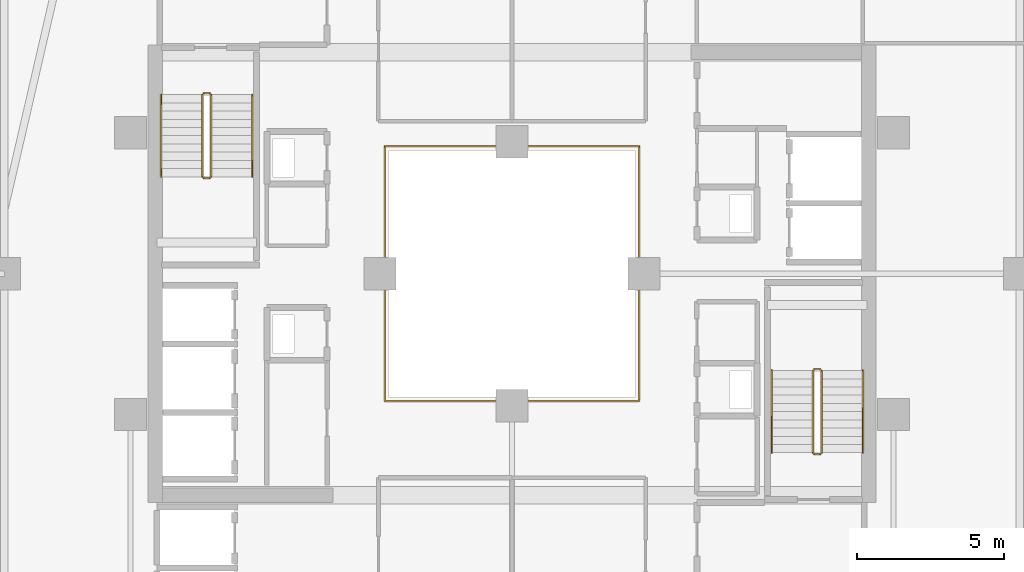
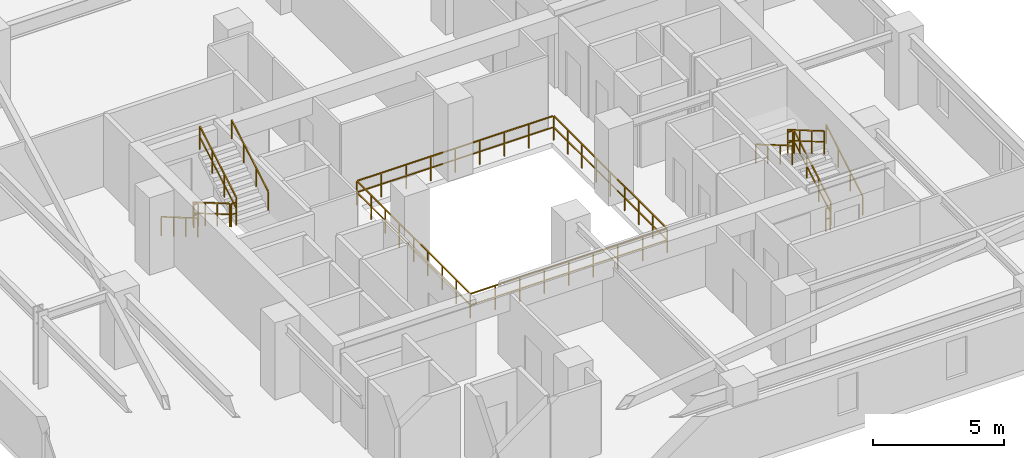
# One storey, part 31 of 32: 13 railings.
"""IFC4 building model written with IfcOpenShell, lengths in metres."""

from ifc_helpers import new_model, si_unit, direction, frame, origin, origin_2d, place, context, subcontext, project, spatial, rectangle, extrude, material, type_object, element, save


model = new_model("IFC4")

# Units and contexts
model_context = context("Model", 3, precision=1e-05, world=origin(), true_north=direction((0.0, 1.0)))
body_context = subcontext(model_context, "Body", "Model", "MODEL_VIEW")
ifc_project = project(units=[si_unit("LENGTHUNIT", "METRE"), si_unit("AREAUNIT", "SQUARE_METRE"), si_unit("VOLUMEUNIT", "CUBIC_METRE"), si_unit("PLANEANGLEUNIT", "RADIAN"), si_unit("MASSUNIT", "GRAM", prefix="KILO")], contexts=[model_context])

# Site, building, storey
site_placement = place(None, origin())
site = spatial("IfcSite", under=ifc_project, at=site_placement, CompositionType="ELEMENT")
building_placement = place(site_placement, origin())
building = spatial("IfcBuilding", under=site, at=building_placement, Name="Thornwick Lancets Civic Towers", CompositionType="ELEMENT")
storey_placement = place(building_placement, frame((0.0, 0.0, 178.5)))
storey = spatial("IfcBuildingStorey", under=building, at=storey_placement, Name="L47", CompositionType="ELEMENT", Elevation=178.5)

# Railings
ifc_material_1 = material(Name="Laminated glass and bronze steel S355", Category="steel")
railing_type_1 = type_object("IfcRailingType", Name="RAIL_ATRIUM_GUARD", PredefinedType="BALUSTRADE", material=ifc_material_1)
railing_1_placement = place(storey_placement, frame((84.159912109375, 22.659912109375, 0.0)))
element("IfcRailing", 1, at=railing_1_placement, inside=storey, type_object=railing_type_1, Name="L47 Tower B Central Atrium Guard Balustrade", PredefinedType="BALUSTRADE", context=body_context, shape_type="SweptSolid", body=[
    extrude(rectangle(XDim=0.048095703125, YDim=0.048095703125, at=origin_2d()), frame((0.0, 0.0, 1.1259765625), z_axis=(1.0, 0.0, 0.0), x_axis=(0.0, 1.0, 0.0)), (0.0, 0.0, 1.0), 8.64892578125),
    extrude(rectangle(XDim=0.0419921875, YDim=0.0419921875, at=origin_2d()), frame((0.03759765625, 0.0, 0.597900390625), z_axis=(1.0, 0.0, 0.0), x_axis=(0.0, 1.0, 0.0)), (0.0, 0.0, 1.0), 1.010009765625),
    extrude(rectangle(XDim=0.0419921875, YDim=0.0419921875, at=origin_2d()), frame((1.12255859375, 0.0, 0.597900390625), z_axis=(1.0, 0.0, 0.0), x_axis=(0.0, 1.0, 0.0)), (0.0, 0.0, 1.0), 1.010009765625),
    extrude(rectangle(XDim=0.0419921875, YDim=0.0419921875, at=origin_2d()), frame((2.20751953125, 0.0, 0.597900390625), z_axis=(1.0, 0.0, 0.0), x_axis=(0.0, 1.0, 0.0)), (0.0, 0.0, 1.0), 1.010009765625),
    extrude(rectangle(XDim=0.0419921875, YDim=0.0419921875, at=origin_2d()), frame((3.29248046875, 0.0, 0.597900390625), z_axis=(1.0, 0.0, 0.0), x_axis=(0.0, 1.0, 0.0)), (0.0, 0.0, 1.0), 1.010009765625),
    extrude(rectangle(XDim=0.0419921875, YDim=0.0419921875, at=origin_2d()), frame((4.377685546875, 0.0, 0.597900390625), z_axis=(1.0, 0.0, 0.0), x_axis=(0.0, 1.0, 0.0)), (0.0, 0.0, 1.0), 1.010009765625),
    extrude(rectangle(XDim=0.0419921875, YDim=0.0419921875, at=origin_2d()), frame((5.462646484375, 0.0, 0.597900390625), z_axis=(1.0, 0.0, 0.0), x_axis=(0.0, 1.0, 0.0)), (0.0, 0.0, 1.0), 1.010009765625),
    extrude(rectangle(XDim=0.0419921875, YDim=0.0419921875, at=origin_2d()), frame((6.547607421875, 0.0, 0.597900390625), z_axis=(1.0, 0.0, 0.0), x_axis=(0.0, 1.0, 0.0)), (0.0, 0.0, 1.0), 1.010009765625),
    extrude(rectangle(XDim=0.0419921875, YDim=0.0419921875, at=origin_2d()), frame((7.632568359375, 0.0, 0.597900390625), z_axis=(1.0, 0.0, 0.0), x_axis=(0.0, 1.0, 0.0)), (0.0, 0.0, 1.0), 1.010009765625),
    extrude(rectangle(XDim=0.048095703125, YDim=0.048095703125, at=origin_2d()), frame((8.68017578125, 0.03125, 1.1259765625), z_axis=(0.0, 1.0, 0.0), x_axis=(-1.0, 0.0, 0.0)), (0.0, 0.0, 1.0), 8.61767578125),
    extrude(rectangle(XDim=0.0419921875, YDim=0.0419921875, at=origin_2d()), frame((8.68017578125, 0.03759765625, 0.597900390625), z_axis=(0.0, 1.0, 0.0), x_axis=(-1.0, 0.0, 0.0)), (0.0, 0.0, 1.0), 1.010009765625),
    extrude(rectangle(XDim=0.0419921875, YDim=0.0419921875, at=origin_2d()), frame((8.68017578125, 1.12255859375, 0.597900390625), z_axis=(0.0, 1.0, 0.0), x_axis=(-1.0, 0.0, 0.0)), (0.0, 0.0, 1.0), 1.010009765625),
    extrude(rectangle(XDim=0.0419921875, YDim=0.0419921875, at=origin_2d()), frame((8.68017578125, 2.20751953125, 0.597900390625), z_axis=(0.0, 1.0, 0.0), x_axis=(-1.0, 0.0, 0.0)), (0.0, 0.0, 1.0), 1.010009765625),
    extrude(rectangle(XDim=0.0419921875, YDim=0.0419921875, at=origin_2d()), frame((8.68017578125, 3.29248046875, 0.597900390625), z_axis=(0.0, 1.0, 0.0), x_axis=(-1.0, 0.0, 0.0)), (0.0, 0.0, 1.0), 1.010009765625),
    extrude(rectangle(XDim=0.0419921875, YDim=0.0419921875, at=origin_2d()), frame((8.68017578125, 4.377685546875, 0.597900390625), z_axis=(0.0, 1.0, 0.0), x_axis=(-1.0, 0.0, 0.0)), (0.0, 0.0, 1.0), 1.010009765625),
    extrude(rectangle(XDim=0.0419921875, YDim=0.0419921875, at=origin_2d()), frame((8.68017578125, 5.462646484375, 0.597900390625), z_axis=(0.0, 1.0, 0.0), x_axis=(-1.0, 0.0, 0.0)), (0.0, 0.0, 1.0), 1.010009765625),
    extrude(rectangle(XDim=0.0419921875, YDim=0.0419921875, at=origin_2d()), frame((8.68017578125, 6.547607421875, 0.597900390625), z_axis=(0.0, 1.0, 0.0), x_axis=(-1.0, 0.0, 0.0)), (0.0, 0.0, 1.0), 1.010009765625),
    extrude(rectangle(XDim=0.0419921875, YDim=0.0419921875, at=origin_2d()), frame((8.68017578125, 7.632568359375, 0.597900390625), z_axis=(0.0, 1.0, 0.0), x_axis=(-1.0, 0.0, 0.0)), (0.0, 0.0, 1.0), 1.010009765625),
    extrude(rectangle(XDim=0.048095703125, YDim=0.048095703125, at=origin_2d()), frame((8.64892578125, 8.68017578125, 1.1259765625), z_axis=(-1.0, 0.0, 0.0), x_axis=(0.0, -1.0, 0.0)), (0.0, 0.0, 1.0), 8.61767578125),
    extrude(rectangle(XDim=0.0419921875, YDim=0.0419921875, at=origin_2d()), frame((8.642578125, 8.68017578125, 0.597900390625), z_axis=(-1.0, 0.0, 0.0), x_axis=(0.0, -1.0, 0.0)), (0.0, 0.0, 1.0), 1.010009765625),
    extrude(rectangle(XDim=0.0419921875, YDim=0.0419921875, at=origin_2d()), frame((7.5576171875, 8.68017578125, 0.597900390625), z_axis=(-1.0, 0.0, 0.0), x_axis=(0.0, -1.0, 0.0)), (0.0, 0.0, 1.0), 1.010009765625),
    extrude(rectangle(XDim=0.0419921875, YDim=0.0419921875, at=origin_2d()), frame((6.47265625, 8.68017578125, 0.597900390625), z_axis=(-1.0, 0.0, 0.0), x_axis=(0.0, -1.0, 0.0)), (0.0, 0.0, 1.0), 1.010009765625),
    extrude(rectangle(XDim=0.0419921875, YDim=0.0419921875, at=origin_2d()), frame((5.3876953125, 8.68017578125, 0.597900390625), z_axis=(-1.0, 0.0, 0.0), x_axis=(0.0, -1.0, 0.0)), (0.0, 0.0, 1.0), 1.010009765625),
    extrude(rectangle(XDim=0.0419921875, YDim=0.0419921875, at=origin_2d()), frame((4.302490234375, 8.68017578125, 0.597900390625), z_axis=(-1.0, 0.0, 0.0), x_axis=(0.0, -1.0, 0.0)), (0.0, 0.0, 1.0), 1.010009765625),
    extrude(rectangle(XDim=0.0419921875, YDim=0.0419921875, at=origin_2d()), frame((3.217529296875, 8.68017578125, 0.597900390625), z_axis=(-1.0, 0.0, 0.0), x_axis=(0.0, -1.0, 0.0)), (0.0, 0.0, 1.0), 1.010009765625),
    extrude(rectangle(XDim=0.0419921875, YDim=0.0419921875, at=origin_2d()), frame((2.132568359375, 8.68017578125, 0.597900390625), z_axis=(-1.0, 0.0, 0.0), x_axis=(0.0, -1.0, 0.0)), (0.0, 0.0, 1.0), 1.010009765625),
    extrude(rectangle(XDim=0.0419921875, YDim=0.0419921875, at=origin_2d()), frame((1.047607421875, 8.68017578125, 0.597900390625), z_axis=(-1.0, 0.0, 0.0), x_axis=(0.0, -1.0, 0.0)), (0.0, 0.0, 1.0), 1.010009765625),
    extrude(rectangle(XDim=0.048095703125, YDim=0.048095703125, at=origin_2d()), frame((0.0, 8.64892578125, 1.1259765625), z_axis=(0.0, -1.0, 0.0), x_axis=(1.0, 0.0, 0.0)), (0.0, 0.0, 1.0), 8.64892578125),
    extrude(rectangle(XDim=0.0419921875, YDim=0.0419921875, at=origin_2d()), frame((0.0, 8.642578125, 0.597900390625), z_axis=(0.0, -1.0, 0.0), x_axis=(1.0, 0.0, 0.0)), (0.0, 0.0, 1.0), 1.010009765625),
    extrude(rectangle(XDim=0.0419921875, YDim=0.0419921875, at=origin_2d()), frame((0.0, 7.5576171875, 0.597900390625), z_axis=(0.0, -1.0, 0.0), x_axis=(1.0, 0.0, 0.0)), (0.0, 0.0, 1.0), 1.010009765625),
    extrude(rectangle(XDim=0.0419921875, YDim=0.0419921875, at=origin_2d()), frame((0.0, 6.47265625, 0.597900390625), z_axis=(0.0, -1.0, 0.0), x_axis=(1.0, 0.0, 0.0)), (0.0, 0.0, 1.0), 1.010009765625),
    extrude(rectangle(XDim=0.0419921875, YDim=0.0419921875, at=origin_2d()), frame((0.0, 5.3876953125, 0.597900390625), z_axis=(0.0, -1.0, 0.0), x_axis=(1.0, 0.0, 0.0)), (0.0, 0.0, 1.0), 1.010009765625),
    extrude(rectangle(XDim=0.0419921875, YDim=0.0419921875, at=origin_2d()), frame((0.0, 4.302490234375, 0.597900390625), z_axis=(0.0, -1.0, 0.0), x_axis=(1.0, 0.0, 0.0)), (0.0, 0.0, 1.0), 1.010009765625),
    extrude(rectangle(XDim=0.0419921875, YDim=0.0419921875, at=origin_2d()), frame((0.0, 3.217529296875, 0.597900390625), z_axis=(0.0, -1.0, 0.0), x_axis=(1.0, 0.0, 0.0)), (0.0, 0.0, 1.0), 1.010009765625),
    extrude(rectangle(XDim=0.0419921875, YDim=0.0419921875, at=origin_2d()), frame((0.0, 2.132568359375, 0.597900390625), z_axis=(0.0, -1.0, 0.0), x_axis=(1.0, 0.0, 0.0)), (0.0, 0.0, 1.0), 1.010009765625),
    extrude(rectangle(XDim=0.0419921875, YDim=0.0419921875, at=origin_2d()), frame((0.0, 1.047607421875, 0.597900390625), z_axis=(0.0, -1.0, 0.0), x_axis=(1.0, 0.0, 0.0)), (0.0, 0.0, 1.0), 1.010009765625),
    extrude(rectangle(XDim=0.0419921875, YDim=0.0419921875, at=origin_2d()), origin(), (0.0, 0.0, 1.0), 1.095703125),
    extrude(rectangle(XDim=0.0419921875, YDim=0.0419921875, at=origin_2d()), frame((1.0849609375, 0.0, 0.0)), (0.0, 0.0, 1.0), 1.095703125),
    extrude(rectangle(XDim=0.0419921875, YDim=0.0419921875, at=origin_2d()), frame((2.169921875, 0.0, 0.0)), (0.0, 0.0, 1.0), 1.095703125),
    extrude(rectangle(XDim=0.0419921875, YDim=0.0419921875, at=origin_2d()), frame((3.255126953125, 0.0, 0.0)), (0.0, 0.0, 1.0), 1.095703125),
    extrude(rectangle(XDim=0.0419921875, YDim=0.0419921875, at=origin_2d()), frame((4.340087890625, 0.0, 0.0)), (0.0, 0.0, 1.0), 1.095703125),
    extrude(rectangle(XDim=0.0419921875, YDim=0.0419921875, at=origin_2d()), frame((5.425048828125, 0.0, 0.0)), (0.0, 0.0, 1.0), 1.095703125),
    extrude(rectangle(XDim=0.0419921875, YDim=0.0419921875, at=origin_2d()), frame((6.51025390625, 0.0, 0.0)), (0.0, 0.0, 1.0), 1.095703125),
    extrude(rectangle(XDim=0.0419921875, YDim=0.0419921875, at=origin_2d()), frame((7.59521484375, 0.0, 0.0)), (0.0, 0.0, 1.0), 1.095703125),
    extrude(rectangle(XDim=0.0419921875, YDim=0.0419921875, at=origin_2d()), frame((8.68017578125, 0.0, 0.0)), (0.0, 0.0, 1.0), 1.095703125),
    extrude(rectangle(XDim=0.0419921875, YDim=0.0419921875, at=origin_2d()), frame((8.68017578125, 1.0849609375, 0.0)), (0.0, 0.0, 1.0), 1.095703125),
    extrude(rectangle(XDim=0.0419921875, YDim=0.0419921875, at=origin_2d()), frame((8.68017578125, 2.169921875, 0.0)), (0.0, 0.0, 1.0), 1.095703125),
    extrude(rectangle(XDim=0.0419921875, YDim=0.0419921875, at=origin_2d()), frame((8.68017578125, 3.255126953125, 0.0)), (0.0, 0.0, 1.0), 1.095703125),
    extrude(rectangle(XDim=0.0419921875, YDim=0.0419921875, at=origin_2d()), frame((8.68017578125, 4.340087890625, 0.0)), (0.0, 0.0, 1.0), 1.095703125),
    extrude(rectangle(XDim=0.0419921875, YDim=0.0419921875, at=origin_2d()), frame((8.68017578125, 5.425048828125, 0.0)), (0.0, 0.0, 1.0), 1.095703125),
    extrude(rectangle(XDim=0.0419921875, YDim=0.0419921875, at=origin_2d()), frame((8.68017578125, 6.51025390625, 0.0)), (0.0, 0.0, 1.0), 1.095703125),
    extrude(rectangle(XDim=0.0419921875, YDim=0.0419921875, at=origin_2d()), frame((8.68017578125, 7.59521484375, 0.0)), (0.0, 0.0, 1.0), 1.095703125),
    extrude(rectangle(XDim=0.0419921875, YDim=0.0419921875, at=origin_2d()), frame((8.68017578125, 8.68017578125, 0.0)), (0.0, 0.0, 1.0), 1.095703125),
    extrude(rectangle(XDim=0.0419921875, YDim=0.0419921875, at=origin_2d()), frame((7.59521484375, 8.68017578125, 0.0)), (0.0, 0.0, 1.0), 1.095703125),
    extrude(rectangle(XDim=0.0419921875, YDim=0.0419921875, at=origin_2d()), frame((6.51025390625, 8.68017578125, 0.0)), (0.0, 0.0, 1.0), 1.095703125),
    extrude(rectangle(XDim=0.0419921875, YDim=0.0419921875, at=origin_2d()), frame((5.425048828125, 8.68017578125, 0.0)), (0.0, 0.0, 1.0), 1.095703125),
    extrude(rectangle(XDim=0.0419921875, YDim=0.0419921875, at=origin_2d()), frame((4.340087890625, 8.68017578125, 0.0)), (0.0, 0.0, 1.0), 1.095703125),
    extrude(rectangle(XDim=0.0419921875, YDim=0.0419921875, at=origin_2d()), frame((3.255126953125, 8.68017578125, 0.0)), (0.0, 0.0, 1.0), 1.095703125),
    extrude(rectangle(XDim=0.0419921875, YDim=0.0419921875, at=origin_2d()), frame((2.169921875, 8.68017578125, 0.0)), (0.0, 0.0, 1.0), 1.095703125),
    extrude(rectangle(XDim=0.0419921875, YDim=0.0419921875, at=origin_2d()), frame((1.0849609375, 8.68017578125, 0.0)), (0.0, 0.0, 1.0), 1.095703125),
    extrude(rectangle(XDim=0.0419921875, YDim=0.0419921875, at=origin_2d()), frame((0.0, 8.68017578125, 0.0)), (0.0, 0.0, 1.0), 1.095703125),
    extrude(rectangle(XDim=0.0419921875, YDim=0.0419921875, at=origin_2d()), frame((0.0, 7.59521484375, 0.0)), (0.0, 0.0, 1.0), 1.095703125),
    extrude(rectangle(XDim=0.0419921875, YDim=0.0419921875, at=origin_2d()), frame((0.0, 6.51025390625, 0.0)), (0.0, 0.0, 1.0), 1.095703125),
    extrude(rectangle(XDim=0.0419921875, YDim=0.0419921875, at=origin_2d()), frame((0.0, 5.425048828125, 0.0)), (0.0, 0.0, 1.0), 1.095703125),
    extrude(rectangle(XDim=0.0419921875, YDim=0.0419921875, at=origin_2d()), frame((0.0, 4.340087890625, 0.0)), (0.0, 0.0, 1.0), 1.095703125),
    extrude(rectangle(XDim=0.0419921875, YDim=0.0419921875, at=origin_2d()), frame((0.0, 3.255126953125, 0.0)), (0.0, 0.0, 1.0), 1.095703125),
    extrude(rectangle(XDim=0.0419921875, YDim=0.0419921875, at=origin_2d()), frame((0.0, 2.169921875, 0.0)), (0.0, 0.0, 1.0), 1.095703125),
    extrude(rectangle(XDim=0.0419921875, YDim=0.0419921875, at=origin_2d()), frame((0.0, 1.0849609375, 0.0)), (0.0, 0.0, 1.0), 1.095703125),
])
ifc_material_2 = material(Name="Brushed stainless steel S355", Category="steel")
railing_type_2 = type_object("IfcRailingType", Name="RAIL_HANDRAIL", PredefinedType="HANDRAIL", material=ifc_material_2)
railing_2_placement = place(storey_placement, frame((100.449951171875, 20.89990234375, 0.16357421875)))
element("IfcRailing", 2, at=railing_2_placement, inside=storey, type_object=railing_type_2, Name="L47 ST-B1 stair handrail 1", PredefinedType="HANDRAIL", context=body_context, shape_type="SweptSolid", body=[
    extrude(rectangle(XDim=0.048095703125, YDim=0.048095703125, at=origin_2d()), frame((0.0, 0.0, 0.8857421875), z_axis=(0.0, 0.863360870873, 0.504586966384), x_axis=(-1.0, 0.0, 0.0)), (0.0, 0.0, 1.0), 3.2431640625),
    extrude(rectangle(XDim=0.0419921875, YDim=0.0419921875, at=origin_2d()), origin(), (0.0, 0.0, 1.0), 0.855712890625),
    extrude(rectangle(XDim=0.0419921875, YDim=0.0419921875, at=origin_2d()), frame((0.0, 0.933349609375, 0.54541015625)), (0.0, 0.0, 1.0), 0.855712890625),
    extrude(rectangle(XDim=0.0419921875, YDim=0.0419921875, at=origin_2d()), frame((0.0, 1.86669921875, 1.091064453125)), (0.0, 0.0, 1.0), 0.855712890625),
    extrude(rectangle(XDim=0.0419921875, YDim=0.0419921875, at=origin_2d()), frame((0.0, 2.800048828125, 1.636474609375)), (0.0, 0.0, 1.0), 0.855712890625),
])
for number, where, name in (
    (3, (97.35009765625, 23.699951171875, 1.963623046875), "L47 ST-B1 stair handrail 2"),
    (4, (76.550048828125, 33.10009765625, 0.16357421875), "L47 ST-B2 stair handrail 1"),
):
    element("IfcRailing", number, at=place(storey_placement, frame(where)), inside=storey, type_object=railing_type_2, Name=name, PredefinedType="HANDRAIL", context=body_context, shape_type="SweptSolid", body=[
        extrude(rectangle(XDim=0.048095703125, YDim=0.048095703125, at=origin_2d()), frame((0.0, 0.0, 0.8857421875), z_axis=(0.0, -0.863360870873, 0.504586966384), x_axis=(1.0, 0.0, 0.0)), (0.0, 0.0, 1.0), 3.2431640625),
        extrude(rectangle(XDim=0.0419921875, YDim=0.0419921875, at=origin_2d()), origin(), (0.0, 0.0, 1.0), 0.855712890625),
        extrude(rectangle(XDim=0.0419921875, YDim=0.0419921875, at=origin_2d()), frame((0.0, -0.933349609375, 0.54541015625)), (0.0, 0.0, 1.0), 0.855712890625),
        extrude(rectangle(XDim=0.0419921875, YDim=0.0419921875, at=origin_2d()), frame((0.0, -1.86669921875, 1.091064453125)), (0.0, 0.0, 1.0), 0.855712890625),
        extrude(rectangle(XDim=0.0419921875, YDim=0.0419921875, at=origin_2d()), frame((0.0, -2.800048828125, 1.636474609375)), (0.0, 0.0, 1.0), 0.855712890625),
    ])
railing_3_placement = place(storey_placement, frame((79.64990234375, 30.300048828125, 1.963623046875)))
element("IfcRailing", 5, at=railing_3_placement, inside=storey, type_object=railing_type_2, Name="L47 ST-B2 stair handrail 2", PredefinedType="HANDRAIL", context=body_context, shape_type="SweptSolid", body=[
    extrude(rectangle(XDim=0.048095703125, YDim=0.048095703125, at=origin_2d()), frame((0.0, 0.0, 0.8857421875), z_axis=(0.0, 0.863360870873, 0.504586966384), x_axis=(-1.0, 0.0, 0.0)), (0.0, 0.0, 1.0), 3.2431640625),
    extrude(rectangle(XDim=0.0419921875, YDim=0.0419921875, at=origin_2d()), origin(), (0.0, 0.0, 1.0), 0.855712890625),
    extrude(rectangle(XDim=0.0419921875, YDim=0.0419921875, at=origin_2d()), frame((0.0, 0.933349609375, 0.54541015625)), (0.0, 0.0, 1.0), 0.855712890625),
    extrude(rectangle(XDim=0.0419921875, YDim=0.0419921875, at=origin_2d()), frame((0.0, 1.86669921875, 1.091064453125)), (0.0, 0.0, 1.0), 0.855712890625),
    extrude(rectangle(XDim=0.0419921875, YDim=0.0419921875, at=origin_2d()), frame((0.0, 2.800048828125, 1.636474609375)), (0.0, 0.0, 1.0), 0.855712890625),
])
ifc_material_3 = material(Name="Steel S355JR", Category="steel")
railing_type_3 = type_object("IfcRailingType", Name="RAIL_STAIR_GUARD", PredefinedType="GUARDRAIL", material=ifc_material_3)
railing_4_placement = place(storey_placement, frame((99.050048828125, 20.89990234375, 0.16357421875)))
element("IfcRailing", 6, at=railing_4_placement, inside=storey, type_object=railing_type_3, Name="L47 ST-B1 stair guard 1", PredefinedType="GUARDRAIL", context=body_context, shape_type="SweptSolid", body=[
    extrude(rectangle(XDim=0.048095703125, YDim=0.048095703125, at=origin_2d()), frame((0.0, 0.0, 1.076171875), z_axis=(0.0, 0.863360870873, 0.504586966384), x_axis=(-1.0, 0.0, 0.0)), (0.0, 0.0, 1.0), 3.2431640625),
    extrude(rectangle(XDim=0.0419921875, YDim=0.0419921875, at=origin_2d()), frame((0.0, 0.032470703125, 0.591064453125), z_axis=(0.0, 0.863360870873, 0.504586966384), x_axis=(-1.0, 0.0, 0.0)), (0.0, 0.0, 1.0), 1.006103515625),
    extrude(rectangle(XDim=0.0419921875, YDim=0.0419921875, at=origin_2d()), frame((0.0, 0.9658203125, 1.136474609375), z_axis=(0.0, 0.863360870873, 0.504586966384), x_axis=(-1.0, 0.0, 0.0)), (0.0, 0.0, 1.0), 1.006103515625),
    extrude(rectangle(XDim=0.0419921875, YDim=0.0419921875, at=origin_2d()), frame((0.0, 1.899169921875, 1.681884765625), z_axis=(0.0, 0.863360870873, 0.504586966384), x_axis=(-1.0, 0.0, 0.0)), (0.0, 0.0, 1.0), 1.006103515625),
    extrude(rectangle(XDim=0.0419921875, YDim=0.0419921875, at=origin_2d()), origin(), (0.0, 0.0, 1.0), 1.0458984375),
    extrude(rectangle(XDim=0.0419921875, YDim=0.0419921875, at=origin_2d()), frame((0.0, 0.933349609375, 0.54541015625)), (0.0, 0.0, 1.0), 1.0458984375),
    extrude(rectangle(XDim=0.0419921875, YDim=0.0419921875, at=origin_2d()), frame((0.0, 1.86669921875, 1.091064453125)), (0.0, 0.0, 1.0), 1.0458984375),
    extrude(rectangle(XDim=0.0419921875, YDim=0.0419921875, at=origin_2d()), frame((0.0, 2.800048828125, 1.636474609375)), (0.0, 0.0, 1.0), 1.0458984375),
])
railing_5_placement = place(storey_placement, frame((99.0, 23.75, 1.800048828125)))
element("IfcRailing", 7, at=railing_5_placement, inside=storey, type_object=railing_type_3, Name="L47 ST-B1 stair guard 2", PredefinedType="GUARDRAIL", context=body_context, shape_type="SweptSolid", body=[
    extrude(rectangle(XDim=0.048095703125, YDim=0.048095703125, at=origin_2d()), frame((0.0, 0.0, 1.076171875), z_axis=(-1.0, 0.0, 0.0), x_axis=(0.0, -1.0, 0.0)), (0.0, 0.0, 1.0), 0.199951171875),
    extrude(rectangle(XDim=0.0419921875, YDim=0.0419921875, at=origin_2d()), frame((-0.03759765625, 0.0, 0.572021484375), z_axis=(-1.0, 0.0, 0.0), x_axis=(0.0, -1.0, 0.0)), (0.0, 0.0, 1.0), 0.125),
    extrude(rectangle(XDim=0.0419921875, YDim=0.0419921875, at=origin_2d()), origin(), (0.0, 0.0, 1.0), 1.0458984375),
    extrude(rectangle(XDim=0.0419921875, YDim=0.0419921875, at=origin_2d()), frame((-0.199951171875, 0.0, 0.0)), (0.0, 0.0, 1.0), 1.0458984375),
])
railing_6_placement = place(storey_placement, frame((98.75, 23.699951171875, 1.963623046875)))
element("IfcRailing", 8, at=railing_6_placement, inside=storey, type_object=railing_type_3, Name="L47 ST-B1 stair guard 3", PredefinedType="GUARDRAIL", context=body_context, shape_type="SweptSolid", body=[
    extrude(rectangle(XDim=0.048095703125, YDim=0.048095703125, at=origin_2d()), frame((0.0, 0.0, 1.076171875), z_axis=(0.0, -0.863360870873, 0.504586966384), x_axis=(1.0, 0.0, 0.0)), (0.0, 0.0, 1.0), 3.2431640625),
    extrude(rectangle(XDim=0.0419921875, YDim=0.0419921875, at=origin_2d()), frame((0.0, -0.032470703125, 0.591064453125), z_axis=(0.0, -0.863360870873, 0.504586966384), x_axis=(1.0, 0.0, 0.0)), (0.0, 0.0, 1.0), 1.006103515625),
    extrude(rectangle(XDim=0.0419921875, YDim=0.0419921875, at=origin_2d()), frame((0.0, -0.9658203125, 1.136474609375), z_axis=(0.0, -0.863360870873, 0.504586966384), x_axis=(1.0, 0.0, 0.0)), (0.0, 0.0, 1.0), 1.006103515625),
    extrude(rectangle(XDim=0.0419921875, YDim=0.0419921875, at=origin_2d()), frame((0.0, -1.899169921875, 1.681884765625), z_axis=(0.0, -0.863360870873, 0.504586966384), x_axis=(1.0, 0.0, 0.0)), (0.0, 0.0, 1.0), 1.006103515625),
    extrude(rectangle(XDim=0.0419921875, YDim=0.0419921875, at=origin_2d()), origin(), (0.0, 0.0, 1.0), 1.0458984375),
    extrude(rectangle(XDim=0.0419921875, YDim=0.0419921875, at=origin_2d()), frame((0.0, -0.933349609375, 0.54541015625)), (0.0, 0.0, 1.0), 1.0458984375),
    extrude(rectangle(XDim=0.0419921875, YDim=0.0419921875, at=origin_2d()), frame((0.0, -1.86669921875, 1.091064453125)), (0.0, 0.0, 1.0), 1.0458984375),
    extrude(rectangle(XDim=0.0419921875, YDim=0.0419921875, at=origin_2d()), frame((0.0, -2.800048828125, 1.636474609375)), (0.0, 0.0, 1.0), 1.0458984375),
])
railing_7_placement = place(storey_placement, frame((99.0, 20.85009765625, 0.0)))
element("IfcRailing", 9, at=railing_7_placement, inside=storey, type_object=railing_type_3, Name="L47 ST-B1 stair guard 4", PredefinedType="GUARDRAIL", context=body_context, shape_type="SweptSolid", body=[
    extrude(rectangle(XDim=0.048095703125, YDim=0.048095703125, at=origin_2d()), frame((0.0, 0.0, 1.076171875), z_axis=(-1.0, 0.0, 0.0), x_axis=(0.0, -1.0, 0.0)), (0.0, 0.0, 1.0), 0.199951171875),
    extrude(rectangle(XDim=0.0419921875, YDim=0.0419921875, at=origin_2d()), frame((-0.03759765625, 0.0, 0.572021484375), z_axis=(-1.0, 0.0, 0.0), x_axis=(0.0, -1.0, 0.0)), (0.0, 0.0, 1.0), 0.125),
    extrude(rectangle(XDim=0.0419921875, YDim=0.0419921875, at=origin_2d()), origin(), (0.0, 0.0, 1.0), 1.0458984375),
    extrude(rectangle(XDim=0.0419921875, YDim=0.0419921875, at=origin_2d()), frame((-0.199951171875, 0.0, 0.0)), (0.0, 0.0, 1.0), 1.0458984375),
])
railing_8_placement = place(storey_placement, frame((77.949951171875, 33.10009765625, 0.16357421875)))
element("IfcRailing", 10, at=railing_8_placement, inside=storey, type_object=railing_type_3, Name="L47 ST-B2 stair guard 1", PredefinedType="GUARDRAIL", context=body_context, shape_type="SweptSolid", body=[
    extrude(rectangle(XDim=0.048095703125, YDim=0.048095703125, at=origin_2d()), frame((0.0, 0.0, 1.076171875), z_axis=(0.0, -0.863360870873, 0.504586966384), x_axis=(1.0, 0.0, 0.0)), (0.0, 0.0, 1.0), 3.2431640625),
    extrude(rectangle(XDim=0.0419921875, YDim=0.0419921875, at=origin_2d()), frame((0.0, -0.032470703125, 0.591064453125), z_axis=(0.0, -0.863360870873, 0.504586966384), x_axis=(1.0, 0.0, 0.0)), (0.0, 0.0, 1.0), 1.006103515625),
    extrude(rectangle(XDim=0.0419921875, YDim=0.0419921875, at=origin_2d()), frame((0.0, -0.9658203125, 1.136474609375), z_axis=(0.0, -0.863360870873, 0.504586966384), x_axis=(1.0, 0.0, 0.0)), (0.0, 0.0, 1.0), 1.006103515625),
    extrude(rectangle(XDim=0.0419921875, YDim=0.0419921875, at=origin_2d()), frame((0.0, -1.899169921875, 1.681884765625), z_axis=(0.0, -0.863360870873, 0.504586966384), x_axis=(1.0, 0.0, 0.0)), (0.0, 0.0, 1.0), 1.006103515625),
    extrude(rectangle(XDim=0.0419921875, YDim=0.0419921875, at=origin_2d()), origin(), (0.0, 0.0, 1.0), 1.0458984375),
    extrude(rectangle(XDim=0.0419921875, YDim=0.0419921875, at=origin_2d()), frame((0.0, -0.933349609375, 0.54541015625)), (0.0, 0.0, 1.0), 1.0458984375),
    extrude(rectangle(XDim=0.0419921875, YDim=0.0419921875, at=origin_2d()), frame((0.0, -1.86669921875, 1.091064453125)), (0.0, 0.0, 1.0), 1.0458984375),
    extrude(rectangle(XDim=0.0419921875, YDim=0.0419921875, at=origin_2d()), frame((0.0, -2.800048828125, 1.636474609375)), (0.0, 0.0, 1.0), 1.0458984375),
])
railing_9_placement = place(storey_placement, frame((78.0, 30.25, 1.800048828125)))
element("IfcRailing", 11, at=railing_9_placement, inside=storey, type_object=railing_type_3, Name="L47 ST-B2 stair guard 2", PredefinedType="GUARDRAIL", context=body_context, shape_type="SweptSolid", body=[
    extrude(rectangle(XDim=0.048095703125, YDim=0.048095703125, at=origin_2d()), frame((0.0, 0.0, 1.076171875), z_axis=(1.0, 0.0, 0.0), x_axis=(0.0, 1.0, 0.0)), (0.0, 0.0, 1.0), 0.199951171875),
    extrude(rectangle(XDim=0.0419921875, YDim=0.0419921875, at=origin_2d()), frame((0.03759765625, 0.0, 0.572021484375), z_axis=(1.0, 0.0, 0.0), x_axis=(0.0, 1.0, 0.0)), (0.0, 0.0, 1.0), 0.125),
    extrude(rectangle(XDim=0.0419921875, YDim=0.0419921875, at=origin_2d()), origin(), (0.0, 0.0, 1.0), 1.0458984375),
    extrude(rectangle(XDim=0.0419921875, YDim=0.0419921875, at=origin_2d()), frame((0.199951171875, 0.0, 0.0)), (0.0, 0.0, 1.0), 1.0458984375),
])
railing_10_placement = place(storey_placement, frame((78.25, 30.300048828125, 1.963623046875)))
element("IfcRailing", 12, at=railing_10_placement, inside=storey, type_object=railing_type_3, Name="L47 ST-B2 stair guard 3", PredefinedType="GUARDRAIL", context=body_context, shape_type="SweptSolid", body=[
    extrude(rectangle(XDim=0.048095703125, YDim=0.048095703125, at=origin_2d()), frame((0.0, 0.0, 1.076171875), z_axis=(0.0, 0.863360870873, 0.504586966384), x_axis=(-1.0, 0.0, 0.0)), (0.0, 0.0, 1.0), 3.2431640625),
    extrude(rectangle(XDim=0.0419921875, YDim=0.0419921875, at=origin_2d()), frame((0.0, 0.032470703125, 0.591064453125), z_axis=(0.0, 0.863360870873, 0.504586966384), x_axis=(-1.0, 0.0, 0.0)), (0.0, 0.0, 1.0), 1.006103515625),
    extrude(rectangle(XDim=0.0419921875, YDim=0.0419921875, at=origin_2d()), frame((0.0, 0.9658203125, 1.136474609375), z_axis=(0.0, 0.863360870873, 0.504586966384), x_axis=(-1.0, 0.0, 0.0)), (0.0, 0.0, 1.0), 1.006103515625),
    extrude(rectangle(XDim=0.0419921875, YDim=0.0419921875, at=origin_2d()), frame((0.0, 1.899169921875, 1.681884765625), z_axis=(0.0, 0.863360870873, 0.504586966384), x_axis=(-1.0, 0.0, 0.0)), (0.0, 0.0, 1.0), 1.006103515625),
    extrude(rectangle(XDim=0.0419921875, YDim=0.0419921875, at=origin_2d()), origin(), (0.0, 0.0, 1.0), 1.0458984375),
    extrude(rectangle(XDim=0.0419921875, YDim=0.0419921875, at=origin_2d()), frame((0.0, 0.933349609375, 0.54541015625)), (0.0, 0.0, 1.0), 1.0458984375),
    extrude(rectangle(XDim=0.0419921875, YDim=0.0419921875, at=origin_2d()), frame((0.0, 1.86669921875, 1.091064453125)), (0.0, 0.0, 1.0), 1.0458984375),
    extrude(rectangle(XDim=0.0419921875, YDim=0.0419921875, at=origin_2d()), frame((0.0, 2.800048828125, 1.636474609375)), (0.0, 0.0, 1.0), 1.0458984375),
])
railing_11_placement = place(storey_placement, frame((78.0, 33.14990234375, 0.0)))
element("IfcRailing", 13, at=railing_11_placement, inside=storey, type_object=railing_type_3, Name="L47 ST-B2 stair guard 4", PredefinedType="GUARDRAIL", context=body_context, shape_type="SweptSolid", body=[
    extrude(rectangle(XDim=0.048095703125, YDim=0.048095703125, at=origin_2d()), frame((0.0, 0.0, 1.076171875), z_axis=(1.0, 0.0, 0.0), x_axis=(0.0, 1.0, 0.0)), (0.0, 0.0, 1.0), 0.199951171875),
    extrude(rectangle(XDim=0.0419921875, YDim=0.0419921875, at=origin_2d()), frame((0.03759765625, 0.0, 0.572021484375), z_axis=(1.0, 0.0, 0.0), x_axis=(0.0, 1.0, 0.0)), (0.0, 0.0, 1.0), 0.125),
    extrude(rectangle(XDim=0.0419921875, YDim=0.0419921875, at=origin_2d()), origin(), (0.0, 0.0, 1.0), 1.0458984375),
    extrude(rectangle(XDim=0.0419921875, YDim=0.0419921875, at=origin_2d()), frame((0.199951171875, 0.0, 0.0)), (0.0, 0.0, 1.0), 1.0458984375),
])

save(model, "model.ifc")
